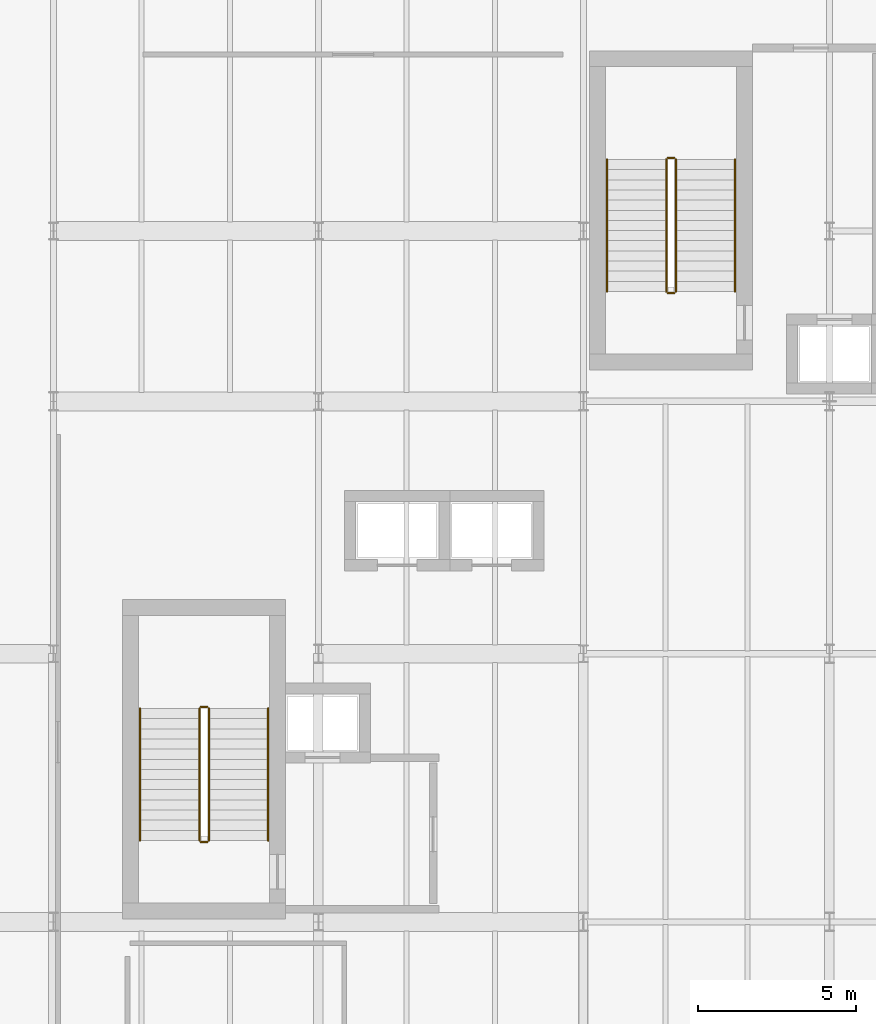
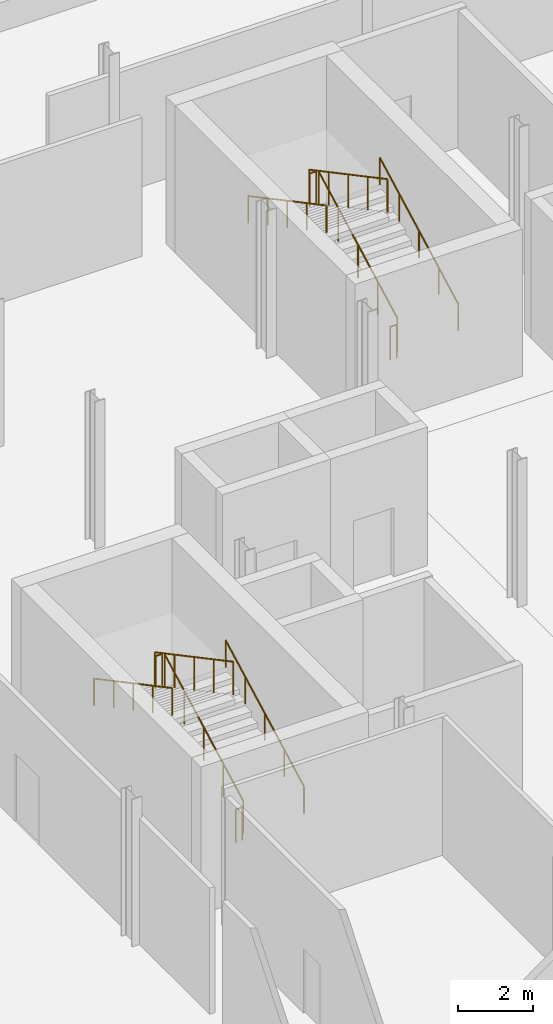
# One storey, part 59 of 63: 12 railings.
"""IFC4 building model written with IfcOpenShell, lengths in metres."""

from ifc_helpers import new_model, si_unit, direction, frame, origin, origin_2d, place, context, subcontext, project, spatial, circle, extrude, material, type_object, element, save


model = new_model("IFC4")

# Units and contexts
model_context = context("Model", 3, precision=1e-05, world=origin(), true_north=direction((0.0, 1.0)))
body_context = subcontext(model_context, "Body", "Model", "MODEL_VIEW")
ifc_project = project(units=[si_unit("LENGTHUNIT", "METRE"), si_unit("AREAUNIT", "SQUARE_METRE"), si_unit("VOLUMEUNIT", "CUBIC_METRE"), si_unit("PLANEANGLEUNIT", "RADIAN"), si_unit("MASSUNIT", "GRAM", prefix="KILO")], contexts=[model_context])

# Site, building, storey
site_placement = place(None, origin())
site = spatial("IfcSite", under=ifc_project, at=site_placement, CompositionType="ELEMENT")
building_placement = place(site_placement, origin())
building = spatial("IfcBuilding", under=site, at=building_placement, Name="Sefraquen Railside Congress Hotel", CompositionType="ELEMENT")
storey_placement = place(building_placement, frame((0.0, 0.0, 11.39990234375)))
storey = spatial("IfcBuildingStorey", under=building, at=storey_placement, Name="L02", CompositionType="ELEMENT", Elevation=11.39990234375)

# Railings
ifc_material = material(Name="Patinated wrought architectural bronze", Category="metal")
railing_type_1 = type_object("IfcRailingType", Name="TRL-BAL-110", PredefinedType="BALUSTRADE", material=ifc_material)
railing_1_placement = place(storey_placement, frame((13.330078125, 82.080078125, 0.171630859375)))
element("IfcRailing", 1, at=railing_1_placement, inside=storey, type_object=railing_type_1, Name="L02 ST-H01 stair guard 1", PredefinedType="BALUSTRADE", context=body_context, shape_type="SweptSolid", body=[
    extrude(circle(Radius=0.02392578125, at=origin_2d()), frame((0.0, 0.0, 1.076171875), z_axis=(0.0, 0.882706117232, 0.469925430893), x_axis=(-1.0, 0.0, 0.0)), (0.0, 0.0, 1.0), 4.7421875),
    extrude(circle(Radius=0.02099609375, at=origin_2d()), origin(), (0.0, 0.0, 1.0), 1.052001953125),
    extrude(circle(Radius=0.02099609375, at=origin_2d()), frame((0.0, 1.04638671875, 0.55712890625)), (0.0, 0.0, 1.0), 1.052001953125),
    extrude(circle(Radius=0.02099609375, at=origin_2d()), frame((0.0, 2.093017578125, 1.1142578125)), (0.0, 0.0, 1.0), 1.052001953125),
    extrude(circle(Radius=0.02099609375, at=origin_2d()), frame((0.0, 3.1396484375, 1.67138671875)), (0.0, 0.0, 1.0), 1.052001953125),
    extrude(circle(Radius=0.02099609375, at=origin_2d()), frame((0.0, 4.18603515625, 2.228515625)), (0.0, 0.0, 1.0), 1.052001953125),
])
railing_2_placement = place(storey_placement, frame((13.280029296875, 86.31591796875, 2.400146484375)))
element("IfcRailing", 2, at=railing_2_placement, inside=storey, type_object=railing_type_1, Name="L02 ST-H01 stair guard 2", PredefinedType="BALUSTRADE", context=body_context, shape_type="SweptSolid", body=[
    extrude(circle(Radius=0.02392578125, at=origin_2d()), frame((0.0, 0.0, 1.076171875), z_axis=(-1.0, 0.0, 0.0), x_axis=(0.0, -1.0, 0.0)), (0.0, 0.0, 1.0), 0.199951171875),
    extrude(circle(Radius=0.02099609375, at=origin_2d()), origin(), (0.0, 0.0, 1.0), 1.052001953125),
    extrude(circle(Radius=0.02099609375, at=origin_2d()), frame((-0.199951171875, 0.0, 0.0)), (0.0, 0.0, 1.0), 1.052001953125),
])
railing_3_placement = place(storey_placement, frame((13.030029296875, 86.26611328125, 2.571533203125)))
element("IfcRailing", 3, at=railing_3_placement, inside=storey, type_object=railing_type_1, Name="L02 ST-H01 stair guard 3", PredefinedType="BALUSTRADE", context=body_context, shape_type="SweptSolid", body=[
    extrude(circle(Radius=0.02392578125, at=origin_2d()), frame((0.0, 0.0, 1.076171875), z_axis=(0.0, -0.882706117232, 0.469925430893), x_axis=(1.0, 0.0, 0.0)), (0.0, 0.0, 1.0), 4.7421875),
    extrude(circle(Radius=0.02099609375, at=origin_2d()), origin(), (0.0, 0.0, 1.0), 1.052001953125),
    extrude(circle(Radius=0.02099609375, at=origin_2d()), frame((0.0, -1.04638671875, 0.55712890625)), (0.0, 0.0, 1.0), 1.052001953125),
    extrude(circle(Radius=0.02099609375, at=origin_2d()), frame((0.0, -2.093017578125, 1.1142578125)), (0.0, 0.0, 1.0), 1.052001953125),
    extrude(circle(Radius=0.02099609375, at=origin_2d()), frame((0.0, -3.1396484375, 1.67138671875)), (0.0, 0.0, 1.0), 1.052001953125),
    extrude(circle(Radius=0.02099609375, at=origin_2d()), frame((0.0, -4.18603515625, 2.228515625)), (0.0, 0.0, 1.0), 1.052001953125),
])
railing_4_placement = place(storey_placement, frame((13.280029296875, 82.030029296875, 0.0)))
element("IfcRailing", 4, at=railing_4_placement, inside=storey, type_object=railing_type_1, Name="L02 ST-H01 stair guard 4", PredefinedType="BALUSTRADE", context=body_context, shape_type="SweptSolid", body=[
    extrude(circle(Radius=0.02392578125, at=origin_2d()), frame((0.0, 0.0, 1.076171875), z_axis=(-1.0, 0.0, 0.0), x_axis=(0.0, -1.0, 0.0)), (0.0, 0.0, 1.0), 0.199951171875),
    extrude(circle(Radius=0.02099609375, at=origin_2d()), origin(), (0.0, 0.0, 1.0), 1.052001953125),
    extrude(circle(Radius=0.02099609375, at=origin_2d()), frame((-0.199951171875, 0.0, 0.0)), (0.0, 0.0, 1.0), 1.052001953125),
])
railing_5_placement = place(storey_placement, frame((28.1298828125, 99.47998046875, 0.171630859375)))
element("IfcRailing", 5, at=railing_5_placement, inside=storey, type_object=railing_type_1, Name="L02 ST-H02 stair guard 1", PredefinedType="BALUSTRADE", context=body_context, shape_type="SweptSolid", body=[
    extrude(circle(Radius=0.02392578125, at=origin_2d()), frame((0.0, 0.0, 1.076171875), z_axis=(0.0, 0.882706117232, 0.469925430893), x_axis=(-1.0, 0.0, 0.0)), (0.0, 0.0, 1.0), 4.7421875),
    extrude(circle(Radius=0.02099609375, at=origin_2d()), origin(), (0.0, 0.0, 1.0), 1.052001953125),
    extrude(circle(Radius=0.02099609375, at=origin_2d()), frame((0.0, 1.04638671875, 0.55712890625)), (0.0, 0.0, 1.0), 1.052001953125),
    extrude(circle(Radius=0.02099609375, at=origin_2d()), frame((0.0, 2.093017578125, 1.1142578125)), (0.0, 0.0, 1.0), 1.052001953125),
    extrude(circle(Radius=0.02099609375, at=origin_2d()), frame((0.0, 3.1396484375, 1.67138671875)), (0.0, 0.0, 1.0), 1.052001953125),
    extrude(circle(Radius=0.02099609375, at=origin_2d()), frame((0.0, 4.18603515625, 2.228515625)), (0.0, 0.0, 1.0), 1.052001953125),
])
railing_6_placement = place(storey_placement, frame((28.080078125, 103.716064453125, 2.400146484375)))
element("IfcRailing", 6, at=railing_6_placement, inside=storey, type_object=railing_type_1, Name="L02 ST-H02 stair guard 2", PredefinedType="BALUSTRADE", context=body_context, shape_type="SweptSolid", body=[
    extrude(circle(Radius=0.02392578125, at=origin_2d()), frame((0.0, 0.0, 1.076171875), z_axis=(-1.0, 0.0, 0.0), x_axis=(0.0, -1.0, 0.0)), (0.0, 0.0, 1.0), 0.2001953125),
    extrude(circle(Radius=0.02099609375, at=origin_2d()), origin(), (0.0, 0.0, 1.0), 1.052001953125),
    extrude(circle(Radius=0.02099609375, at=origin_2d()), frame((-0.2001953125, 0.0, 0.0)), (0.0, 0.0, 1.0), 1.052001953125),
])
railing_7_placement = place(storey_placement, frame((27.830078125, 103.666015625, 2.571533203125)))
element("IfcRailing", 7, at=railing_7_placement, inside=storey, type_object=railing_type_1, Name="L02 ST-H02 stair guard 3", PredefinedType="BALUSTRADE", context=body_context, shape_type="SweptSolid", body=[
    extrude(circle(Radius=0.02392578125, at=origin_2d()), frame((0.0, 0.0, 1.076171875), z_axis=(0.0, -0.882706117232, 0.469925430893), x_axis=(1.0, 0.0, 0.0)), (0.0, 0.0, 1.0), 4.7421875),
    extrude(circle(Radius=0.02099609375, at=origin_2d()), origin(), (0.0, 0.0, 1.0), 1.052001953125),
    extrude(circle(Radius=0.02099609375, at=origin_2d()), frame((0.0, -1.04638671875, 0.55712890625)), (0.0, 0.0, 1.0), 1.052001953125),
    extrude(circle(Radius=0.02099609375, at=origin_2d()), frame((0.0, -2.093017578125, 1.1142578125)), (0.0, 0.0, 1.0), 1.052001953125),
    extrude(circle(Radius=0.02099609375, at=origin_2d()), frame((0.0, -3.1396484375, 1.67138671875)), (0.0, 0.0, 1.0), 1.052001953125),
    extrude(circle(Radius=0.02099609375, at=origin_2d()), frame((0.0, -4.18603515625, 2.228515625)), (0.0, 0.0, 1.0), 1.052001953125),
])
railing_8_placement = place(storey_placement, frame((28.080078125, 99.429931640625, 0.0)))
element("IfcRailing", 8, at=railing_8_placement, inside=storey, type_object=railing_type_1, Name="L02 ST-H02 stair guard 4", PredefinedType="BALUSTRADE", context=body_context, shape_type="SweptSolid", body=[
    extrude(circle(Radius=0.02392578125, at=origin_2d()), frame((0.0, 0.0, 1.076171875), z_axis=(-1.0, 0.0, 0.0), x_axis=(0.0, -1.0, 0.0)), (0.0, 0.0, 1.0), 0.2001953125),
    extrude(circle(Radius=0.02099609375, at=origin_2d()), origin(), (0.0, 0.0, 1.0), 1.052001953125),
    extrude(circle(Radius=0.02099609375, at=origin_2d()), frame((-0.2001953125, 0.0, 0.0)), (0.0, 0.0, 1.0), 1.052001953125),
])
railing_type_2 = type_object("IfcRailingType", Name="TRL-HR-090", PredefinedType="HANDRAIL", material=ifc_material)
railing_9_placement = place(storey_placement, frame((15.2099609375, 82.080078125, 0.171630859375)))
element("IfcRailing", 9, at=railing_9_placement, inside=storey, type_object=railing_type_2, Name="L02 ST-H01 stair handrail 1", PredefinedType="HANDRAIL", context=body_context, shape_type="SweptSolid", body=[
    extrude(circle(Radius=0.02392578125, at=origin_2d()), frame((0.0, 0.0, 0.8759765625), z_axis=(0.0, 0.882706117232, 0.469925430893), x_axis=(-1.0, 0.0, 0.0)), (0.0, 0.0, 1.0), 4.7421875),
    extrude(circle(Radius=0.02099609375, at=origin_2d()), origin(), (0.0, 0.0, 1.0), 0.851806640625),
    extrude(circle(Radius=0.02099609375, at=origin_2d()), frame((0.0, 1.04638671875, 0.55712890625)), (0.0, 0.0, 1.0), 0.851806640625),
    extrude(circle(Radius=0.02099609375, at=origin_2d()), frame((0.0, 2.093017578125, 1.1142578125)), (0.0, 0.0, 1.0), 0.851806640625),
    extrude(circle(Radius=0.02099609375, at=origin_2d()), frame((0.0, 3.1396484375, 1.67138671875)), (0.0, 0.0, 1.0), 0.851806640625),
    extrude(circle(Radius=0.02099609375, at=origin_2d()), frame((0.0, 4.18603515625, 2.228515625)), (0.0, 0.0, 1.0), 0.851806640625),
])
railing_10_placement = place(storey_placement, frame((11.14990234375, 86.26611328125, 2.571533203125)))
element("IfcRailing", 10, at=railing_10_placement, inside=storey, type_object=railing_type_2, Name="L02 ST-H01 stair handrail 2", PredefinedType="HANDRAIL", context=body_context, shape_type="SweptSolid", body=[
    extrude(circle(Radius=0.02392578125, at=origin_2d()), frame((0.0, 0.0, 0.8759765625), z_axis=(0.0, -0.882706117232, 0.469925430893), x_axis=(1.0, 0.0, 0.0)), (0.0, 0.0, 1.0), 4.7421875),
    extrude(circle(Radius=0.02099609375, at=origin_2d()), origin(), (0.0, 0.0, 1.0), 0.851806640625),
    extrude(circle(Radius=0.02099609375, at=origin_2d()), frame((0.0, -1.04638671875, 0.55712890625)), (0.0, 0.0, 1.0), 0.851806640625),
    extrude(circle(Radius=0.02099609375, at=origin_2d()), frame((0.0, -2.093017578125, 1.1142578125)), (0.0, 0.0, 1.0), 0.851806640625),
    extrude(circle(Radius=0.02099609375, at=origin_2d()), frame((0.0, -3.1396484375, 1.67138671875)), (0.0, 0.0, 1.0), 0.851806640625),
    extrude(circle(Radius=0.02099609375, at=origin_2d()), frame((0.0, -4.18603515625, 2.228515625)), (0.0, 0.0, 1.0), 0.851806640625),
])
railing_11_placement = place(storey_placement, frame((30.010009765625, 99.47998046875, 0.171630859375)))
element("IfcRailing", 11, at=railing_11_placement, inside=storey, type_object=railing_type_2, Name="L02 ST-H02 stair handrail 1", PredefinedType="HANDRAIL", context=body_context, shape_type="SweptSolid", body=[
    extrude(circle(Radius=0.02392578125, at=origin_2d()), frame((0.0, 0.0, 0.8759765625), z_axis=(0.0, 0.882706117232, 0.469925430893), x_axis=(-1.0, 0.0, 0.0)), (0.0, 0.0, 1.0), 4.7421875),
    extrude(circle(Radius=0.02099609375, at=origin_2d()), origin(), (0.0, 0.0, 1.0), 0.851806640625),
    extrude(circle(Radius=0.02099609375, at=origin_2d()), frame((0.0, 1.04638671875, 0.55712890625)), (0.0, 0.0, 1.0), 0.851806640625),
    extrude(circle(Radius=0.02099609375, at=origin_2d()), frame((0.0, 2.093017578125, 1.1142578125)), (0.0, 0.0, 1.0), 0.851806640625),
    extrude(circle(Radius=0.02099609375, at=origin_2d()), frame((0.0, 3.1396484375, 1.67138671875)), (0.0, 0.0, 1.0), 0.851806640625),
    extrude(circle(Radius=0.02099609375, at=origin_2d()), frame((0.0, 4.18603515625, 2.228515625)), (0.0, 0.0, 1.0), 0.851806640625),
])
railing_12_placement = place(storey_placement, frame((25.949951171875, 103.666015625, 2.571533203125)))
element("IfcRailing", 12, at=railing_12_placement, inside=storey, type_object=railing_type_2, Name="L02 ST-H02 stair handrail 2", PredefinedType="HANDRAIL", context=body_context, shape_type="SweptSolid", body=[
    extrude(circle(Radius=0.02392578125, at=origin_2d()), frame((0.0, 0.0, 0.8759765625), z_axis=(0.0, -0.882706117232, 0.469925430893), x_axis=(1.0, 0.0, 0.0)), (0.0, 0.0, 1.0), 4.7421875),
    extrude(circle(Radius=0.02099609375, at=origin_2d()), origin(), (0.0, 0.0, 1.0), 0.851806640625),
    extrude(circle(Radius=0.02099609375, at=origin_2d()), frame((0.0, -1.04638671875, 0.55712890625)), (0.0, 0.0, 1.0), 0.851806640625),
    extrude(circle(Radius=0.02099609375, at=origin_2d()), frame((0.0, -2.093017578125, 1.1142578125)), (0.0, 0.0, 1.0), 0.851806640625),
    extrude(circle(Radius=0.02099609375, at=origin_2d()), frame((0.0, -3.1396484375, 1.67138671875)), (0.0, 0.0, 1.0), 0.851806640625),
    extrude(circle(Radius=0.02099609375, at=origin_2d()), frame((0.0, -4.18603515625, 2.228515625)), (0.0, 0.0, 1.0), 0.851806640625),
])

save(model, "model.ifc")
